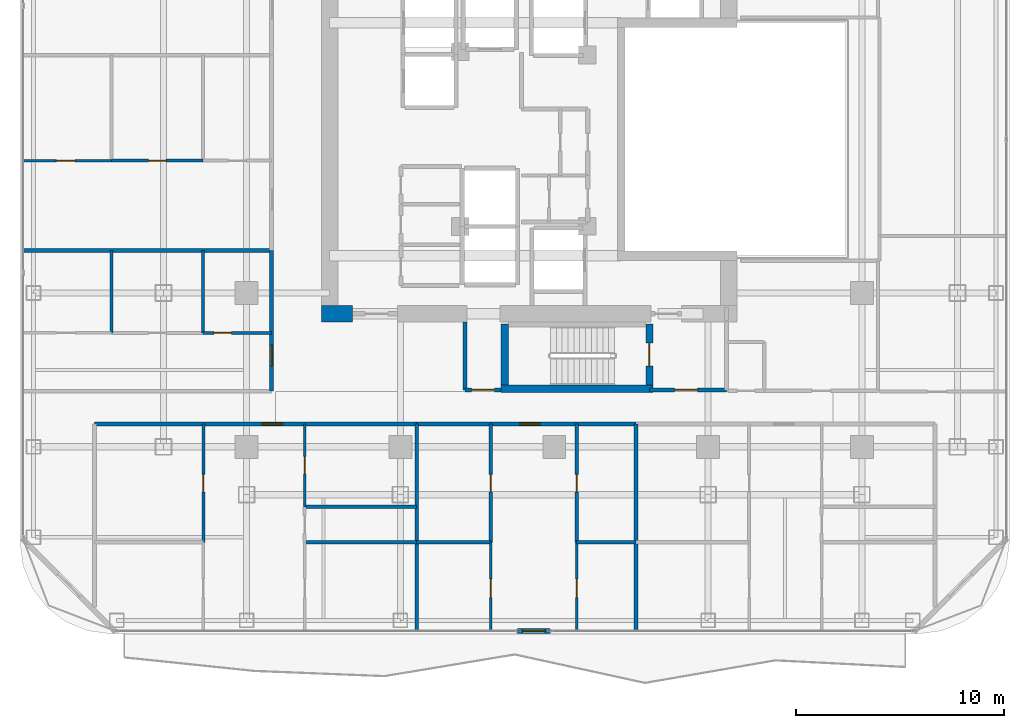
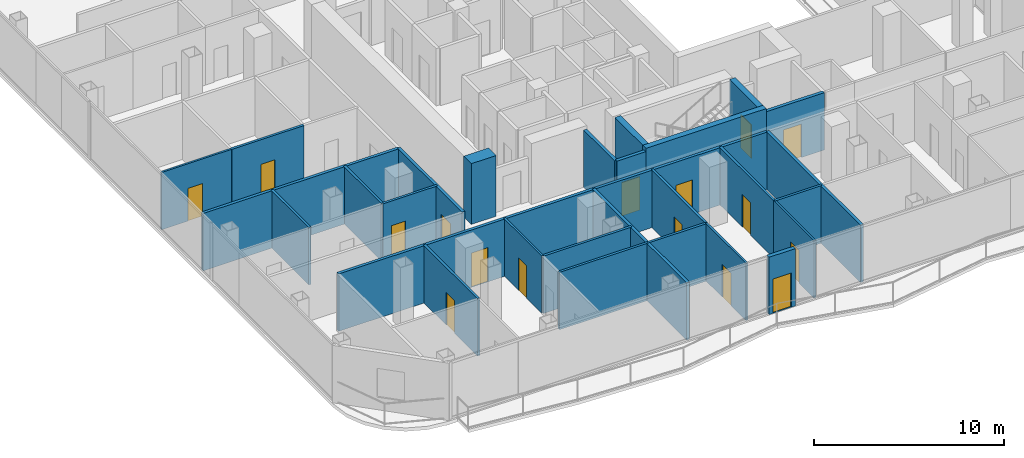
# One storey, part 19 of 27: 29 walls, 16 doors, 16 openings.
"""IFC4 building model written with IfcOpenShell, lengths in metres."""

from ifc_helpers import new_model, si_unit, direction, frame, frame_2d, origin, place, context, subcontext, project, spatial, rectangle, extrude, material, layer, layer_set, type_object, element, fill, save


model = new_model("IFC4")

# Units and contexts
model_context = context("Model", 3, precision=1e-05, world=origin(), true_north=direction((0.0, 1.0)))
body_context = subcontext(model_context, "Body", "Model", "MODEL_VIEW")
ifc_project = project(units=[si_unit("LENGTHUNIT", "METRE"), si_unit("AREAUNIT", "SQUARE_METRE"), si_unit("VOLUMEUNIT", "CUBIC_METRE"), si_unit("PLANEANGLEUNIT", "RADIAN"), si_unit("MASSUNIT", "GRAM", prefix="KILO")], contexts=[model_context])

# Site, building, storey
site_placement = place(None, origin())
site = spatial("IfcSite", under=ifc_project, at=site_placement, CompositionType="ELEMENT")
building_placement = place(site_placement, origin())
building = spatial("IfcBuilding", under=site, at=building_placement, Name="Khorvyn Point Tower", CompositionType="ELEMENT")
storey_placement = place(building_placement, frame((0.0, 0.0, 179.699951171875)))
storey = spatial("IfcBuildingStorey", under=building, at=storey_placement, Name="L44", CompositionType="ELEMENT", Elevation=179.699951171875)

# Wall, opening, door
ifc_material_1 = material(Name="Double acoustic gypsum on twin steel stud", Category="steel")
ifc_layer_1 = layer(ifc_material_1, 0.179931640625)
ifc_layer_set_1 = layer_set([ifc_layer_1], Name="Acoustic Double-Stud Apartment Demising Wall 180")
wall_type_1 = type_object("IfcWallType", Name="Acoustic Double-Stud Apartment Demising Wall 180", PredefinedType="PARTITIONING", material=ifc_layer_set_1)
wall_1_placement = place(storey_placement, frame((-22.1201171875, -13.699951171875, 0.0), z_axis=(0.0, 0.0, 1.0), x_axis=(1.0, 0.0, 0.0)))
wall_1 = element("IfcWall", 1, at=wall_1_placement, inside=storey, type_object=wall_type_1, Name="Wall", PredefinedType="PARTITIONING", context=body_context, shape_type="SweptSolid", body=[
    extrude(rectangle(XDim=15.502197265625, YDim=0.179931640625, at=frame_2d((7.7509765625, 0.0))), origin(), (0.0, 0.0, 1.0), 3.679931640625),
])
opening_1_placement = place(wall_1_placement, frame((8.058837890625, 0.0, 0.0)))
opening_1 = element("IfcOpeningElement", 2, at=opening_1_placement, cuts=wall_1, Name="Opening ID-AP60", PredefinedType="OPENING", context=body_context, shape_type="SweptSolid", body=[
    extrude(rectangle(XDim=1.0, YDim=2.199951171875, at=frame_2d((0.5, 1.10009765625))), frame((0.0, 0.099853515625, 0.0), z_axis=(0.0, -1.0, 0.0), x_axis=(1.0, 0.0, 0.0)), (0.0, 0.0, 1.0), 0.199951171875),
])
ifc_material_2 = material(Name="Engineered hardwood fire-rated leaf", Category="wood")
door_type_1 = type_object("IfcDoorType", Name="Acoustic Solid-Core Timber Apartment Entrance Door 1000x2200", OperationType="NOTDEFINED", PredefinedType="DOOR", material=ifc_material_2)
door_1_placement = place(opening_1_placement, origin())
door_1 = element("IfcDoor", 3, at=door_1_placement, inside=storey, type_object=door_type_1, Name="Door", OperationType="SINGLE_SWING_RIGHT", OverallHeight=2.199951171875, OverallWidth=1.0, PredefinedType="DOOR", context=body_context, shape_type="SweptSolid", body=[
    extrude(rectangle(XDim=1.0, YDim=2.199951171875, at=frame_2d((0.5, 1.10009765625))), frame((0.0, 0.02490234375, 0.0), z_axis=(0.0, -1.0, 0.0), x_axis=(1.0, 0.0, 0.0)), (0.0, 0.0, 1.0), 0.050048828125),
])
fill(opening_1, door_1)

wall_2_placement = place(storey_placement, frame((-6.617919921875, -13.699951171875, 0.0), z_axis=(0.0, 0.0, 1.0), x_axis=(1.0, 0.0, 0.0)))
wall_2 = element("IfcWall", 4, at=wall_2_placement, inside=storey, type_object=wall_type_1, Name="Wall", PredefinedType="PARTITIONING", context=body_context, shape_type="SweptSolid", body=[
    extrude(rectangle(XDim=10.5478515625, YDim=0.179931640625, at=frame_2d((5.27392578125, 0.0))), origin(), (0.0, 0.0, 1.0), 3.679931640625),
])
opening_2_placement = place(wall_2_placement, frame((4.951416015625, 0.0, 0.0)))
opening_2 = element("IfcOpeningElement", 5, at=opening_2_placement, cuts=wall_2, Name="Opening ID-AP60", PredefinedType="OPENING", context=body_context, shape_type="SweptSolid", body=[
    extrude(rectangle(XDim=1.0, YDim=2.199951171875, at=frame_2d((0.5, 1.10009765625))), frame((0.0, 0.099853515625, 0.0), z_axis=(0.0, -1.0, 0.0), x_axis=(1.0, 0.0, 0.0)), (0.0, 0.0, 1.0), 0.199951171875),
])
door_2_placement = place(opening_2_placement, origin())
door_2 = element("IfcDoor", 6, at=door_2_placement, inside=storey, type_object=door_type_1, Name="Door", OperationType="SINGLE_SWING_RIGHT", OverallHeight=2.199951171875, OverallWidth=1.0, PredefinedType="DOOR", context=body_context, shape_type="SweptSolid", body=[
    extrude(rectangle(XDim=1.0, YDim=2.199951171875, at=frame_2d((0.5, 1.10009765625))), frame((0.0, 0.02490234375, 0.0), z_axis=(0.0, -1.0, 0.0), x_axis=(1.0, 0.0, 0.0)), (0.0, 0.0, 1.0), 0.050048828125),
])
fill(opening_2, door_2)

wall_3_placement = place(storey_placement, frame((-13.60009765625, -12.1201171875, 0.0), z_axis=(0.0, 0.0, 1.0), x_axis=(0.0, 1.0, 0.0)))
wall_3 = element("IfcWall", 7, at=wall_3_placement, inside=storey, type_object=wall_type_1, Name="Wall", PredefinedType="PARTITIONING", context=body_context, shape_type="SweptSolid", body=[
    extrude(rectangle(XDim=6.77099609375, YDim=0.179931640625, at=frame_2d((3.385498046875, 0.0))), origin(), (0.0, 0.0, 1.0), 3.679931640625),
])
opening_3_placement = place(wall_3_placement, frame((1.215087890625, 0.0, 0.0)))
opening_3 = element("IfcOpeningElement", 8, at=opening_3_placement, cuts=wall_3, Name="Opening ID-AP60", PredefinedType="OPENING", context=body_context, shape_type="SweptSolid", body=[
    extrude(rectangle(XDim=1.0, YDim=2.199951171875, at=frame_2d((0.5, 1.10009765625))), frame((0.0, 0.099853515625, 0.0), z_axis=(0.0, -1.0, 0.0), x_axis=(1.0, 0.0, 0.0)), (0.0, 0.0, 1.0), 0.199951171875),
])
door_3_placement = place(opening_3_placement, origin())
door_3 = element("IfcDoor", 9, at=door_3_placement, inside=storey, type_object=door_type_1, Name="Door", OperationType="SINGLE_SWING_LEFT", OverallHeight=2.199951171875, OverallWidth=1.0, PredefinedType="DOOR", context=body_context, shape_type="SweptSolid", body=[
    extrude(rectangle(XDim=1.0, YDim=2.199951171875, at=frame_2d((0.5, 1.10009765625))), frame((0.0, 0.02490234375, 0.0), z_axis=(0.0, -1.0, 0.0), x_axis=(1.0, 0.0, 0.0)), (0.0, 0.0, 1.0), 0.050048828125),
])
fill(opening_3, door_3)

# Walls
for number, where, z_axis, x_axis, name in (
    (10, (-6.617919921875, -23.6298828125, 0.0), (0.0, 0.0, 1.0), (0.0, 1.0, 0.0), "Wall"),
    (11, (3.929931640625, -23.6298828125, 0.0), (0.0, 0.0, 1.0), (0.0, 1.0, 0.0), "Wall"),
):
    element("IfcWall", number, at=place(storey_placement, frame(where, z_axis=z_axis, x_axis=x_axis)), inside=storey, type_object=wall_type_1, Name=name, PredefinedType="PARTITIONING", context=body_context, shape_type="SweptSolid", body=[
        extrude(rectangle(XDim=9.929931640625, YDim=0.179931640625, at=frame_2d((4.96484375, 0.0))), origin(), (0.0, 0.0, 1.0), 3.679931640625),
    ])
wall_4_placement = place(storey_placement, frame((-25.530029296875, -5.34912109375, 0.0), z_axis=(0.0, 0.0, 1.0), x_axis=(1.0, 0.0, 0.0)))
element("IfcWall", 12, at=wall_4_placement, inside=storey, type_object=wall_type_1, Name="Wall", PredefinedType="PARTITIONING", context=body_context, shape_type="SweptSolid", body=[
    extrude(rectangle(XDim=11.929931640625, YDim=0.179931640625, at=frame_2d((5.96484375, 0.0))), origin(), (0.0, 0.0, 1.0), 3.679931640625),
])

# Wall, opening, door
ifc_material_3 = material(Name="Pale anodised aluminium rainscreen on steel stud", Category="steel")
ifc_layer_2 = layer(ifc_material_3, 0.239990234375)
ifc_layer_set_2 = layer_set([ifc_layer_2], Name="Anodised Aluminium Insulated Corner Spandrel Wall 240")
wall_type_2 = type_object("IfcWallType", Name="Anodised Aluminium Insulated Corner Spandrel Wall 240", PredefinedType="SOLIDWALL", material=ifc_layer_set_2)
wall_5_placement = place(storey_placement, frame((-0.196044921875, -23.64990234375, 0.0), z_axis=(0.0, 0.0, 1.0), x_axis=(-1.0, 0.0, 0.0)))
wall_5 = element("IfcWall", 13, at=wall_5_placement, inside=storey, type_object=wall_type_2, Name="L44 South Outdoor Threshold Wall", PredefinedType="SOLIDWALL", context=body_context, shape_type="SweptSolid", body=[
    extrude(rectangle(XDim=1.579833984375, YDim=0.239990234375, at=frame_2d((0.7900390625, 0.0))), origin(), (0.0, 0.0, 1.0), 3.679931640625),
])
opening_4_placement = place(wall_5_placement, frame((0.239990234375, 0.0, 0.0)))
opening_4 = element("IfcOpeningElement", 14, at=opening_4_placement, cuts=wall_5, Name="Opening BD-1122", PredefinedType="OPENING", context=body_context, shape_type="SweptSolid", body=[
    extrude(rectangle(XDim=1.10009765625, YDim=2.199951171875, at=frame_2d((0.550048828125, 1.10009765625))), frame((0.0, 0.1298828125, 0.0), z_axis=(0.0, -1.0, 0.0), x_axis=(1.0, 0.0, 0.0)), (0.0, 0.0, 1.0), 0.260009765625),
])
ifc_material_4 = material(Name="Anodised aluminium 6063-T6 and laminated Low-E glass", Category="aluminium")
door_type_2 = type_object("IfcDoorType", Name="Glazed Balcony and Terrace Threshold Door 1100x2200", OperationType="NOTDEFINED", PredefinedType="DOOR", material=ifc_material_4)
door_4_placement = place(opening_4_placement, origin())
door_4 = element("IfcDoor", 15, at=door_4_placement, inside=storey, type_object=door_type_2, Name="L44 South Glazed Balcony Outdoor Door", OperationType="SINGLE_SWING_LEFT", OverallHeight=2.199951171875, OverallWidth=1.10009765625, PredefinedType="DOOR", context=body_context, shape_type="SweptSolid", body=[
    extrude(rectangle(XDim=1.10009765625, YDim=2.199951171875, at=frame_2d((0.550048828125, 1.10009765625))), frame((0.0, 0.02490234375, 0.0), z_axis=(0.0, -1.0, 0.0), x_axis=(1.0, 0.0, 0.0)), (0.0, 0.0, 1.0), 0.050048828125),
])
fill(opening_4, door_4)

ifc_material_5 = material(Name="Concrete C40/50", Category="concrete")
ifc_layer_3 = layer(ifc_material_5, 0.199951171875)
ifc_layer_set_3 = layer_set([ifc_layer_3], Name="Concrete C40/50 Fire-Lobby Compartment Wall 200")
wall_type_3 = type_object("IfcWallType", Name="Concrete C40/50 Fire-Lobby Compartment Wall 200", PredefinedType="SOLIDWALL", material=ifc_layer_set_3)
wall_6_placement = place(storey_placement, frame((4.580078125, -12.06005859375, 0.0), z_axis=(0.0, 0.0, 1.0), x_axis=(1.0, 0.0, 0.0)))
wall_6 = element("IfcWall", 16, at=wall_6_placement, inside=storey, type_object=wall_type_3, Name="Wall", PredefinedType="SOLIDWALL", context=body_context, shape_type="SweptSolid", body=[
    extrude(rectangle(XDim=3.699951171875, YDim=0.199951171875, at=frame_2d((1.85009765625, 0.0))), origin(), (0.0, 0.0, 1.0), 3.679931640625),
])
opening_5_placement = place(wall_6_placement, frame((1.21240234375, 0.0, 0.0)))
opening_5 = element("IfcOpeningElement", 17, at=opening_5_placement, cuts=wall_6, Name="Opening ID-FL90", PredefinedType="OPENING", context=body_context, shape_type="SweptSolid", body=[
    extrude(rectangle(XDim=1.10009765625, YDim=2.14990234375, at=frame_2d((0.550048828125, 1.074951171875))), frame((0.0, 0.10986328125, 0.0), z_axis=(0.0, -1.0, 0.0), x_axis=(1.0, 0.0, 0.0)), (0.0, 0.0, 1.0), 0.219970703125),
])
ifc_material_6 = material(Name="Galvanised powder-coated steel", Category="steel")
door_type_3 = type_object("IfcDoorType", Name="Fire-Rated Steel Lobby and Stair Door 1100x2150", OperationType="NOTDEFINED", PredefinedType="DOOR", material=ifc_material_6)
door_5_placement = place(opening_5_placement, origin())
door_5 = element("IfcDoor", 18, at=door_5_placement, inside=storey, type_object=door_type_3, Name="Door", OperationType="SINGLE_SWING_RIGHT", OverallHeight=2.14990234375, OverallWidth=1.10009765625, PredefinedType="DOOR", context=body_context, shape_type="SweptSolid", body=[
    extrude(rectangle(XDim=1.10009765625, YDim=2.14990234375, at=frame_2d((0.550048828125, 1.074951171875))), frame((0.0, 0.02490234375, 0.0), z_axis=(0.0, -1.0, 0.0), x_axis=(1.0, 0.0, 0.0)), (0.0, 0.0, 1.0), 0.050048828125),
])
fill(opening_5, door_5)

wall_7_placement = place(storey_placement, frame((-4.300048828125, -12.06005859375, 0.0), z_axis=(0.0, 0.0, 1.0), x_axis=(1.0, 0.0, 0.0)))
wall_7 = element("IfcWall", 19, at=wall_7_placement, inside=storey, type_object=wall_type_3, Name="Wall", PredefinedType="SOLIDWALL", context=body_context, shape_type="SweptSolid", body=[
    extrude(rectangle(XDim=1.75, YDim=0.199951171875, at=frame_2d((0.875, 0.0))), origin(), (0.0, 0.0, 1.0), 3.679931640625),
])
opening_6_placement = place(wall_7_placement, frame((0.324951171875, 0.0, 0.0)))
opening_6 = element("IfcOpeningElement", 20, at=opening_6_placement, cuts=wall_7, Name="Opening ID-FL90", PredefinedType="OPENING", context=body_context, shape_type="SweptSolid", body=[
    extrude(rectangle(XDim=1.10009765625, YDim=2.14990234375, at=frame_2d((0.550048828125, 1.074951171875))), frame((0.0, 0.10986328125, 0.0), z_axis=(0.0, -1.0, 0.0), x_axis=(1.0, 0.0, 0.0)), (0.0, 0.0, 1.0), 0.219970703125),
])
door_6_placement = place(opening_6_placement, origin())
door_6 = element("IfcDoor", 21, at=door_6_placement, inside=storey, type_object=door_type_3, Name="Door", OperationType="SINGLE_SWING_LEFT", OverallHeight=2.14990234375, OverallWidth=1.10009765625, PredefinedType="DOOR", context=body_context, shape_type="SweptSolid", body=[
    extrude(rectangle(XDim=1.10009765625, YDim=2.14990234375, at=frame_2d((0.550048828125, 1.074951171875))), frame((0.0, 0.02490234375, 0.0), z_axis=(0.0, -1.0, 0.0), x_axis=(1.0, 0.0, 0.0)), (0.0, 0.0, 1.0), 0.050048828125),
])
fill(opening_6, door_6)

# Walls
wall_8_placement = place(storey_placement, frame((-4.300048828125, -12.06005859375, 0.0), z_axis=(0.0, 0.0, 1.0), x_axis=(0.0, 1.0, 0.0)))
element("IfcWall", 22, at=wall_8_placement, inside=storey, type_object=wall_type_3, Name="Wall", PredefinedType="SOLIDWALL", context=body_context, shape_type="SweptSolid", body=[
    extrude(rectangle(XDim=3.260009765625, YDim=0.199951171875, at=frame_2d((1.6298828125, 0.0))), origin(), (0.0, 0.0, 1.0), 3.679931640625),
])
ifc_layer_4 = layer(ifc_material_5, 0.35009765625)
ifc_layer_set_4 = layer_set([ifc_layer_4], Name="Concrete C40/50 Stair Shaft Structural Wall 350")
wall_type_4 = type_object("IfcWallType", Name="Concrete C40/50 Stair Shaft Structural Wall 350", PredefinedType="SHEAR", material=ifc_layer_set_4)
wall_9_placement = place(storey_placement, frame((-2.554931640625, -12.0, 0.0), z_axis=(0.0, 0.0, 1.0), x_axis=(1.0, 0.0, 0.0)))
element("IfcWall", 23, at=wall_9_placement, inside=storey, type_object=wall_type_4, Name="L44 ST-01 South Shaft Wall", PredefinedType="SHEAR", context=body_context, shape_type="SweptSolid", body=[
    extrude(rectangle(XDim=7.309814453125, YDim=0.35009765625, at=frame_2d((3.65478515625, 0.0))), origin(), (0.0, 0.0, 1.0), 3.900146484375),
])
wall_10_placement = place(storey_placement, frame((-2.3798828125, -11.824951171875, 0.0), z_axis=(0.0, 0.0, 1.0), x_axis=(0.0, 1.0, 0.0)))
element("IfcWall", 24, at=wall_10_placement, inside=storey, type_object=wall_type_4, Name="L44 ST-01 West Shaft Wall", PredefinedType="SHEAR", context=body_context, shape_type="SweptSolid", body=[
    extrude(rectangle(XDim=2.925048828125, YDim=0.35009765625, at=frame_2d((1.46240234375, 0.0))), origin(), (0.0, 0.0, 1.0), 3.900146484375),
])

# Wall, opening, door
wall_11_placement = place(storey_placement, frame((4.580078125, -8.89990234375, 0.0), z_axis=(0.0, 0.0, 1.0), x_axis=(0.0, -1.0, 0.0)))
wall_11 = element("IfcWall", 25, at=wall_11_placement, inside=storey, type_object=wall_type_4, Name="L44 ST-01 East Landing Door Wall", PredefinedType="SHEAR", context=body_context, shape_type="SweptSolid", body=[
    extrude(rectangle(XDim=2.925048828125, YDim=0.35009765625, at=frame_2d((1.46240234375, 0.0))), origin(), (0.0, 0.0, 1.0), 3.900146484375),
])
opening_7_placement = place(wall_11_placement, frame((0.91259765625, 0.0, 0.0)))
opening_7 = element("IfcOpeningElement", 26, at=opening_7_placement, cuts=wall_11, Name="Opening ID-FL90", PredefinedType="OPENING", context=body_context, shape_type="SweptSolid", body=[
    extrude(rectangle(XDim=1.10009765625, YDim=2.14990234375, at=frame_2d((0.550048828125, 1.074951171875))), frame((0.0, 0.18505859375, 0.0), z_axis=(0.0, -1.0, 0.0), x_axis=(1.0, 0.0, 0.0)), (0.0, 0.0, 1.0), 0.3701171875),
])
door_7_placement = place(opening_7_placement, origin())
door_7 = element("IfcDoor", 27, at=door_7_placement, inside=storey, type_object=door_type_3, Name="L44 ST-01 Smokeproof Landing Door", OperationType="SINGLE_SWING_RIGHT", OverallHeight=2.14990234375, OverallWidth=1.10009765625, PredefinedType="DOOR", context=body_context, shape_type="SweptSolid", body=[
    extrude(rectangle(XDim=1.10009765625, YDim=2.14990234375, at=frame_2d((0.550048828125, 1.074951171875))), frame((0.0, 0.02490234375, 0.0), z_axis=(0.0, -1.0, 0.0), x_axis=(1.0, 0.0, 0.0)), (0.0, 0.0, 1.0), 0.050048828125),
])
fill(opening_7, door_7)

# Wall
ifc_material_7 = material(Name="Concrete C45/55", Category="concrete")
ifc_layer_5 = layer(ifc_material_7, 0.800048828125)
ifc_layer_set_5 = layer_set([ifc_layer_5], Name="Concrete C45/55 Core Shear Wall 800")
wall_type_5 = type_object("IfcWallType", Name="Concrete C45/55 Core Shear Wall 800", PredefinedType="SHEAR", material=ifc_layer_set_5)
wall_12_placement = place(storey_placement, frame((-11.199951171875, -8.39990234375, 0.0), z_axis=(0.0, 0.0, 1.0), x_axis=(1.0, 0.0, 0.0)))
element("IfcWall", 28, at=wall_12_placement, inside=storey, type_object=wall_type_5, Name="Wall", PredefinedType="SHEAR", context=body_context, shape_type="SweptSolid", body=[
    extrude(rectangle(XDim=1.5, YDim=0.800048828125, at=frame_2d((0.75, 0.0))), origin(), (0.0, 0.0, 1.0), 3.900146484375),
])

# Wall, opening, door
ifc_material_8 = material(Name="Gypsum plasterboard on steel stud", Category="steel")
ifc_layer_6 = layer(ifc_material_8, 0.1201171875)
ifc_layer_set_6 = layer_set([ifc_layer_6], Name="Gypsum Acoustic Stud Room Partition Wall 120")
wall_type_6 = type_object("IfcWallType", Name="Gypsum Acoustic Stud Room Partition Wall 120", PredefinedType="PARTITIONING", material=ifc_layer_set_6)
wall_13_placement = place(storey_placement, frame((-12.009033203125, -17.68310546875, 0.0), z_axis=(0.0, 0.0, 1.0), x_axis=(0.0, 1.0, 0.0)))
wall_13 = element("IfcWall", 29, at=wall_13_placement, inside=storey, type_object=wall_type_6, Name="Wall", PredefinedType="PARTITIONING", context=body_context, shape_type="SweptSolid", body=[
    extrude(rectangle(XDim=3.983154296875, YDim=0.1201171875, at=frame_2d((1.99169921875, 0.0))), origin(), (0.0, 0.0, 1.0), 3.679931640625),
])
opening_8_placement = place(wall_13_placement, frame((1.56640625, 0.0, 0.0)))
opening_8 = element("IfcOpeningElement", 30, at=opening_8_placement, cuts=wall_13, Name="Opening ID-WC85", PredefinedType="OPENING", context=body_context, shape_type="SweptSolid", body=[
    extrude(rectangle(XDim=0.85009765625, YDim=2.10009765625, at=frame_2d((0.425048828125, 1.050048828125))), frame((0.0, 0.070068359375, 0.0), z_axis=(0.0, -1.0, 0.0), x_axis=(1.0, 0.0, 0.0)), (0.0, 0.0, 1.0), 0.14013671875),
])
ifc_material_9 = material(Name="High-pressure laminate on moisture-resistant core", Category="wood")
door_type_4 = type_object("IfcDoorType", Name="Moisture-Resistant Accessible Washroom Door 850x2100", OperationType="NOTDEFINED", PredefinedType="DOOR", material=ifc_material_9)
door_8_placement = place(opening_8_placement, origin())
door_8 = element("IfcDoor", 31, at=door_8_placement, inside=storey, type_object=door_type_4, Name="Door", OperationType="SINGLE_SWING_RIGHT", OverallHeight=2.10009765625, OverallWidth=0.85009765625, PredefinedType="DOOR", context=body_context, shape_type="SweptSolid", body=[
    extrude(rectangle(XDim=0.85009765625, YDim=2.10009765625, at=frame_2d((0.425048828125, 1.050048828125))), frame((0.0, 0.02490234375, 0.0), z_axis=(0.0, -1.0, 0.0), x_axis=(1.0, 0.0, 0.0)), (0.0, 0.0, 1.0), 0.050048828125),
])
fill(opening_8, door_8)

wall_14_placement = place(storey_placement, frame((-3.052978515625, -23.6298828125, 0.0), z_axis=(0.0, 0.0, 1.0), x_axis=(0.0, 1.0, 0.0)))
wall_14 = element("IfcWall", 32, at=wall_14_placement, inside=storey, type_object=wall_type_6, Name="Wall", PredefinedType="PARTITIONING", context=body_context, shape_type="SweptSolid", body=[
    extrude(rectangle(XDim=4.239990234375, YDim=0.1201171875, at=frame_2d((2.1201171875, 0.0))), origin(), (0.0, 0.0, 1.0), 3.679931640625),
])
opening_9_placement = place(wall_14_placement, frame((1.581298828125, 0.0, 0.0)))
opening_9 = element("IfcOpeningElement", 33, at=opening_9_placement, cuts=wall_14, Name="Opening ID-RM90", PredefinedType="OPENING", context=body_context, shape_type="SweptSolid", body=[
    extrude(rectangle(XDim=0.89990234375, YDim=2.10009765625, at=frame_2d((0.449951171875, 1.050048828125))), frame((0.0, 0.070068359375, 0.0), z_axis=(0.0, -1.0, 0.0), x_axis=(1.0, 0.0, 0.0)), (0.0, 0.0, 1.0), 0.14013671875),
])
ifc_material_10 = material(Name="Engineered oak veneer timber", Category="wood")
door_type_5 = type_object("IfcDoorType", Name="Flush Engineered Timber Room Door 900x2100", OperationType="NOTDEFINED", PredefinedType="DOOR", material=ifc_material_10)
door_9_placement = place(opening_9_placement, origin())
door_9 = element("IfcDoor", 34, at=door_9_placement, inside=storey, type_object=door_type_5, Name="Door", OperationType="SINGLE_SWING_RIGHT", OverallHeight=2.10009765625, OverallWidth=0.89990234375, PredefinedType="DOOR", context=body_context, shape_type="SweptSolid", body=[
    extrude(rectangle(XDim=0.89990234375, YDim=2.10009765625, at=frame_2d((0.449951171875, 1.050048828125))), frame((0.0, 0.02490234375, 0.0), z_axis=(0.0, -1.0, 0.0), x_axis=(1.0, 0.0, 0.0)), (0.0, 0.0, 1.0), 0.050048828125),
])
fill(opening_9, door_9)

wall_15_placement = place(storey_placement, frame((1.080078125, -23.6298828125, 0.0), z_axis=(0.0, 0.0, 1.0), x_axis=(0.0, 1.0, 0.0)))
wall_15 = element("IfcWall", 35, at=wall_15_placement, inside=storey, type_object=wall_type_6, Name="Wall", PredefinedType="PARTITIONING", context=body_context, shape_type="SweptSolid", body=[
    extrude(rectangle(XDim=4.239990234375, YDim=0.1201171875, at=frame_2d((2.1201171875, 0.0))), origin(), (0.0, 0.0, 1.0), 3.679931640625),
])
opening_10_placement = place(wall_15_placement, frame((1.581298828125, 0.0, 0.0)))
opening_10 = element("IfcOpeningElement", 36, at=opening_10_placement, cuts=wall_15, Name="Opening ID-RM90", PredefinedType="OPENING", context=body_context, shape_type="SweptSolid", body=[
    extrude(rectangle(XDim=0.89990234375, YDim=2.10009765625, at=frame_2d((0.449951171875, 1.050048828125))), frame((0.0, 0.070068359375, 0.0), z_axis=(0.0, -1.0, 0.0), x_axis=(1.0, 0.0, 0.0)), (0.0, 0.0, 1.0), 0.14013671875),
])
door_10_placement = place(opening_10_placement, origin())
door_10 = element("IfcDoor", 37, at=door_10_placement, inside=storey, type_object=door_type_5, Name="Door", OperationType="SINGLE_SWING_RIGHT", OverallHeight=2.10009765625, OverallWidth=0.89990234375, PredefinedType="DOOR", context=body_context, shape_type="SweptSolid", body=[
    extrude(rectangle(XDim=0.89990234375, YDim=2.10009765625, at=frame_2d((0.449951171875, 1.050048828125))), frame((0.0, 0.02490234375, 0.0), z_axis=(0.0, -1.0, 0.0), x_axis=(1.0, 0.0, 0.0)), (0.0, 0.0, 1.0), 0.050048828125),
])
fill(opening_10, door_10)

wall_16_placement = place(storey_placement, frame((-25.530029296875, -1.030029296875, 0.0), z_axis=(0.0, 0.0, 1.0), x_axis=(1.0, 0.0, 0.0)))
wall_16 = element("IfcWall", 38, at=wall_16_placement, inside=storey, type_object=wall_type_6, Name="Wall", PredefinedType="PARTITIONING", context=body_context, shape_type="SweptSolid", body=[
    extrude(rectangle(XDim=4.239990234375, YDim=0.1201171875, at=frame_2d((2.1201171875, 0.0))), origin(), (0.0, 0.0, 1.0), 3.679931640625),
])
opening_11_placement = place(wall_16_placement, frame((1.581298828125, 0.0, 0.0)))
opening_11 = element("IfcOpeningElement", 39, at=opening_11_placement, cuts=wall_16, Name="Opening ID-RM90", PredefinedType="OPENING", context=body_context, shape_type="SweptSolid", body=[
    extrude(rectangle(XDim=0.89990234375, YDim=2.10009765625, at=frame_2d((0.449951171875, 1.050048828125))), frame((0.0, 0.070068359375, 0.0), z_axis=(0.0, -1.0, 0.0), x_axis=(1.0, 0.0, 0.0)), (0.0, 0.0, 1.0), 0.14013671875),
])
door_11_placement = place(opening_11_placement, origin())
door_11 = element("IfcDoor", 40, at=door_11_placement, inside=storey, type_object=door_type_5, Name="Door", OperationType="SINGLE_SWING_RIGHT", OverallHeight=2.10009765625, OverallWidth=0.89990234375, PredefinedType="DOOR", context=body_context, shape_type="SweptSolid", body=[
    extrude(rectangle(XDim=0.89990234375, YDim=2.10009765625, at=frame_2d((0.449951171875, 1.050048828125))), frame((0.0, 0.02490234375, 0.0), z_axis=(0.0, -1.0, 0.0), x_axis=(1.0, 0.0, 0.0)), (0.0, 0.0, 1.0), 0.050048828125),
])
fill(opening_11, door_11)

ifc_material_11 = material(Name="Moisture-resistant gypsum and cement board", Category="gypsum")
ifc_layer_7 = layer(ifc_material_11, 0.14990234375)
ifc_layer_set_7 = layer_set([ifc_layer_7], Name="Moisture-Resistant Wet-Room Partition Wall 150")
wall_type_7 = type_object("IfcWallType", Name="Moisture-Resistant Wet-Room Partition Wall 150", PredefinedType="PARTITIONING", material=ifc_layer_set_7)
wall_17_placement = place(storey_placement, frame((-16.8759765625, -19.389892578125, 0.0), z_axis=(0.0, 0.0, 1.0), x_axis=(0.0, 1.0, 0.0)))
wall_17 = element("IfcWall", 41, at=wall_17_placement, inside=storey, type_object=wall_type_7, Name="Wall", PredefinedType="PARTITIONING", context=body_context, shape_type="SweptSolid", body=[
    extrude(rectangle(XDim=5.68994140625, YDim=0.14990234375, at=frame_2d((2.844970703125, 0.0))), origin(), (0.0, 0.0, 1.0), 3.679931640625),
])
opening_12_placement = place(wall_17_placement, frame((2.419921875, 0.0, 0.0)))
opening_12 = element("IfcOpeningElement", 42, at=opening_12_placement, cuts=wall_17, Name="Opening ID-WC85", PredefinedType="OPENING", context=body_context, shape_type="SweptSolid", body=[
    extrude(rectangle(XDim=0.85009765625, YDim=2.10009765625, at=frame_2d((0.425048828125, 1.050048828125))), frame((0.0, 0.0849609375, 0.0), z_axis=(0.0, -1.0, 0.0), x_axis=(1.0, 0.0, 0.0)), (0.0, 0.0, 1.0), 0.169921875),
])
door_12_placement = place(opening_12_placement, origin())
door_12 = element("IfcDoor", 43, at=door_12_placement, inside=storey, type_object=door_type_4, Name="Door", OperationType="SINGLE_SWING_LEFT", OverallHeight=2.10009765625, OverallWidth=0.85009765625, PredefinedType="DOOR", context=body_context, shape_type="SweptSolid", body=[
    extrude(rectangle(XDim=0.85009765625, YDim=2.10009765625, at=frame_2d((0.425048828125, 1.050048828125))), frame((0.0, 0.02490234375, 0.0), z_axis=(0.0, -1.0, 0.0), x_axis=(1.0, 0.0, 0.0)), (0.0, 0.0, 1.0), 0.050048828125),
])
fill(opening_12, door_12)

wall_18_placement = place(storey_placement, frame((-3.052978515625, -19.389892578125, 0.0), z_axis=(0.0, 0.0, 1.0), x_axis=(0.0, 1.0, 0.0)))
wall_18 = element("IfcWall", 44, at=wall_18_placement, inside=storey, type_object=wall_type_7, Name="Wall", PredefinedType="PARTITIONING", context=body_context, shape_type="SweptSolid", body=[
    extrude(rectangle(XDim=5.68994140625, YDim=0.14990234375, at=frame_2d((2.844970703125, 0.0))), origin(), (0.0, 0.0, 1.0), 3.679931640625),
])
opening_13_placement = place(wall_18_placement, frame((2.419921875, 0.0, 0.0)))
opening_13 = element("IfcOpeningElement", 45, at=opening_13_placement, cuts=wall_18, Name="Opening ID-WC85", PredefinedType="OPENING", context=body_context, shape_type="SweptSolid", body=[
    extrude(rectangle(XDim=0.85009765625, YDim=2.10009765625, at=frame_2d((0.425048828125, 1.050048828125))), frame((0.0, 0.0849609375, 0.0), z_axis=(0.0, -1.0, 0.0), x_axis=(1.0, 0.0, 0.0)), (0.0, 0.0, 1.0), 0.169921875),
])
door_13_placement = place(opening_13_placement, origin())
door_13 = element("IfcDoor", 46, at=door_13_placement, inside=storey, type_object=door_type_4, Name="Door", OperationType="SINGLE_SWING_LEFT", OverallHeight=2.10009765625, OverallWidth=0.85009765625, PredefinedType="DOOR", context=body_context, shape_type="SweptSolid", body=[
    extrude(rectangle(XDim=0.85009765625, YDim=2.10009765625, at=frame_2d((0.425048828125, 1.050048828125))), frame((0.0, 0.02490234375, 0.0), z_axis=(0.0, -1.0, 0.0), x_axis=(1.0, 0.0, 0.0)), (0.0, 0.0, 1.0), 0.050048828125),
])
fill(opening_13, door_13)

wall_19_placement = place(storey_placement, frame((1.080078125, -19.389892578125, 0.0), z_axis=(0.0, 0.0, 1.0), x_axis=(0.0, 1.0, 0.0)))
wall_19 = element("IfcWall", 47, at=wall_19_placement, inside=storey, type_object=wall_type_7, Name="Wall", PredefinedType="PARTITIONING", context=body_context, shape_type="SweptSolid", body=[
    extrude(rectangle(XDim=5.68994140625, YDim=0.14990234375, at=frame_2d((2.844970703125, 0.0))), origin(), (0.0, 0.0, 1.0), 3.679931640625),
])
opening_14_placement = place(wall_19_placement, frame((2.419921875, 0.0, 0.0)))
opening_14 = element("IfcOpeningElement", 48, at=opening_14_placement, cuts=wall_19, Name="Opening ID-WC85", PredefinedType="OPENING", context=body_context, shape_type="SweptSolid", body=[
    extrude(rectangle(XDim=0.85009765625, YDim=2.10009765625, at=frame_2d((0.425048828125, 1.050048828125))), frame((0.0, 0.0849609375, 0.0), z_axis=(0.0, -1.0, 0.0), x_axis=(1.0, 0.0, 0.0)), (0.0, 0.0, 1.0), 0.169921875),
])
door_14_placement = place(opening_14_placement, origin())
door_14 = element("IfcDoor", 49, at=door_14_placement, inside=storey, type_object=door_type_4, Name="Door", OperationType="SINGLE_SWING_LEFT", OverallHeight=2.10009765625, OverallWidth=0.85009765625, PredefinedType="DOOR", context=body_context, shape_type="SweptSolid", body=[
    extrude(rectangle(XDim=0.85009765625, YDim=2.10009765625, at=frame_2d((0.425048828125, 1.050048828125))), frame((0.0, 0.02490234375, 0.0), z_axis=(0.0, -1.0, 0.0), x_axis=(1.0, 0.0, 0.0)), (0.0, 0.0, 1.0), 0.050048828125),
])
fill(opening_14, door_14)

wall_20_placement = place(storey_placement, frame((-16.89306640625, -9.320068359375, 0.0), z_axis=(0.0, 0.0, 1.0), x_axis=(1.0, 0.0, 0.0)))
wall_20 = element("IfcWall", 50, at=wall_20_placement, inside=storey, type_object=wall_type_7, Name="Wall", PredefinedType="PARTITIONING", context=body_context, shape_type="SweptSolid", body=[
    extrude(rectangle(XDim=3.29296875, YDim=0.14990234375, at=frame_2d((1.646484375, 0.0))), origin(), (0.0, 0.0, 1.0), 3.679931640625),
])
opening_15_placement = place(wall_20_placement, frame((0.513916015625, 0.0, 0.0)))
opening_15 = element("IfcOpeningElement", 51, at=opening_15_placement, cuts=wall_20, Name="Opening ID-WC85", PredefinedType="OPENING", context=body_context, shape_type="SweptSolid", body=[
    extrude(rectangle(XDim=0.85009765625, YDim=2.10009765625, at=frame_2d((0.425048828125, 1.050048828125))), frame((0.0, 0.0849609375, 0.0), z_axis=(0.0, -1.0, 0.0), x_axis=(1.0, 0.0, 0.0)), (0.0, 0.0, 1.0), 0.169921875),
])
door_15_placement = place(opening_15_placement, origin())
door_15 = element("IfcDoor", 52, at=door_15_placement, inside=storey, type_object=door_type_4, Name="Door", OperationType="SINGLE_SWING_LEFT", OverallHeight=2.10009765625, OverallWidth=0.85009765625, PredefinedType="DOOR", context=body_context, shape_type="SweptSolid", body=[
    extrude(rectangle(XDim=0.85009765625, YDim=2.10009765625, at=frame_2d((0.425048828125, 1.050048828125))), frame((0.0, 0.02490234375, 0.0), z_axis=(0.0, -1.0, 0.0), x_axis=(1.0, 0.0, 0.0)), (0.0, 0.0, 1.0), 0.050048828125),
])
fill(opening_15, door_15)

wall_21_placement = place(storey_placement, frame((-21.2900390625, -1.030029296875, 0.0), z_axis=(0.0, 0.0, 1.0), x_axis=(1.0, 0.0, 0.0)))
wall_21 = element("IfcWall", 53, at=wall_21_placement, inside=storey, type_object=wall_type_7, Name="Wall", PredefinedType="PARTITIONING", context=body_context, shape_type="SweptSolid", body=[
    extrude(rectangle(XDim=4.39697265625, YDim=0.14990234375, at=frame_2d((2.198486328125, 0.0))), origin(), (0.0, 0.0, 1.0), 3.679931640625),
])
opening_16_placement = place(wall_21_placement, frame((1.7734375, 0.0, 0.0)))
opening_16 = element("IfcOpeningElement", 54, at=opening_16_placement, cuts=wall_21, Name="Opening ID-WC85", PredefinedType="OPENING", context=body_context, shape_type="SweptSolid", body=[
    extrude(rectangle(XDim=0.85009765625, YDim=2.10009765625, at=frame_2d((0.425048828125, 1.050048828125))), frame((0.0, 0.0849609375, 0.0), z_axis=(0.0, -1.0, 0.0), x_axis=(1.0, 0.0, 0.0)), (0.0, 0.0, 1.0), 0.169921875),
])
door_16_placement = place(opening_16_placement, origin())
door_16 = element("IfcDoor", 55, at=door_16_placement, inside=storey, type_object=door_type_4, Name="Door", OperationType="SINGLE_SWING_RIGHT", OverallHeight=2.10009765625, OverallWidth=0.85009765625, PredefinedType="DOOR", context=body_context, shape_type="SweptSolid", body=[
    extrude(rectangle(XDim=0.85009765625, YDim=2.10009765625, at=frame_2d((0.425048828125, 1.050048828125))), frame((0.0, 0.02490234375, 0.0), z_axis=(0.0, -1.0, 0.0), x_axis=(1.0, 0.0, 0.0)), (0.0, 0.0, 1.0), 0.050048828125),
])
fill(opening_16, door_16)

# Walls
for number, where, z_axis, x_axis, name in (
    (56, (-12.009033203125, -17.68310546875, 0.0), (0.0, 0.0, 1.0), (1.0, 0.0, 0.0), "Wall"),
    (57, (-12.009033203125, -19.389892578125, 0.0), (0.0, 0.0, 1.0), (1.0, 0.0, 0.0), "Wall"),
):
    element("IfcWall", number, at=place(storey_placement, frame(where, z_axis=z_axis, x_axis=x_axis)), inside=storey, type_object=wall_type_7, Name=name, PredefinedType="PARTITIONING", context=body_context, shape_type="SweptSolid", body=[
        extrude(rectangle(XDim=5.39111328125, YDim=0.14990234375, at=frame_2d((2.695556640625, 0.0))), origin(), (0.0, 0.0, 1.0), 3.679931640625),
    ])
wall_22_placement = place(storey_placement, frame((-6.617919921875, -19.389892578125, 0.0), z_axis=(0.0, 0.0, 1.0), x_axis=(1.0, 0.0, 0.0)))
element("IfcWall", 58, at=wall_22_placement, inside=storey, type_object=wall_type_7, Name="Wall", PredefinedType="PARTITIONING", context=body_context, shape_type="SweptSolid", body=[
    extrude(rectangle(XDim=3.56494140625, YDim=0.14990234375, at=frame_2d((1.782470703125, 0.0))), origin(), (0.0, 0.0, 1.0), 3.679931640625),
])
wall_23_placement = place(storey_placement, frame((1.080078125, -19.389892578125, 0.0), z_axis=(0.0, 0.0, 1.0), x_axis=(1.0, 0.0, 0.0)))
element("IfcWall", 59, at=wall_23_placement, inside=storey, type_object=wall_type_7, Name="Wall", PredefinedType="PARTITIONING", context=body_context, shape_type="SweptSolid", body=[
    extrude(rectangle(XDim=2.849853515625, YDim=0.14990234375, at=frame_2d((1.4248046875, 0.0))), origin(), (0.0, 0.0, 1.0), 3.679931640625),
])
for number, where, z_axis, x_axis, name in (
    (60, (-16.89306640625, -9.320068359375, 0.0), (0.0, 0.0, 1.0), (0.0, 1.0, 0.0), "Wall"),
    (61, (-21.2900390625, -9.320068359375, 0.0), (0.0, 0.0, 1.0), (0.0, 1.0, 0.0), "Wall"),
):
    element("IfcWall", number, at=place(storey_placement, frame(where, z_axis=z_axis, x_axis=x_axis)), inside=storey, type_object=wall_type_7, Name=name, PredefinedType="PARTITIONING", context=body_context, shape_type="SweptSolid", body=[
        extrude(rectangle(XDim=3.970947265625, YDim=0.14990234375, at=frame_2d((1.9853515625, 0.0))), origin(), (0.0, 0.0, 1.0), 3.679931640625),
    ])

save(model, "model.ifc")
